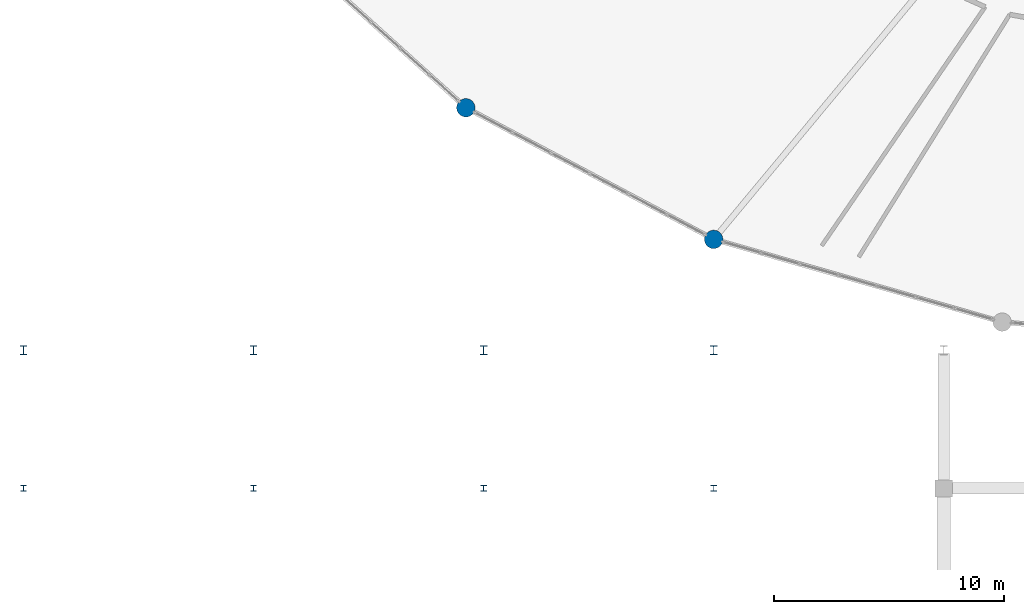
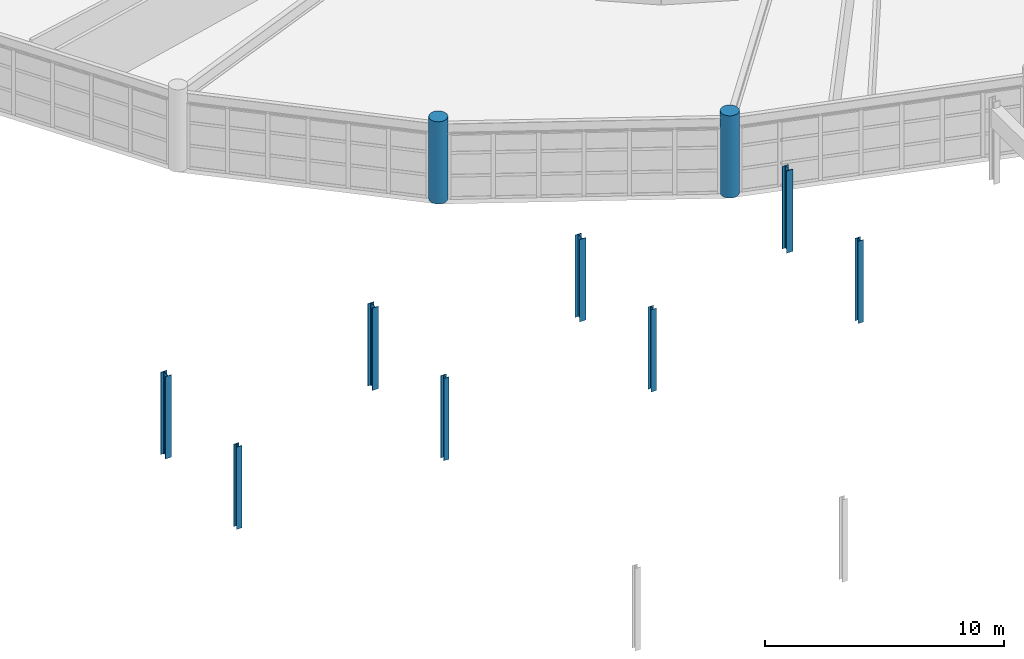
# One storey, part 4 of 100: 10 columns.
"""IFC4 building model written with IfcOpenShell, lengths in metres."""

from ifc_helpers import new_model, si_unit, direction, frame, origin, origin_2d, place, context, subcontext, project, spatial, circle, i_section, extrude, material, material_profile, profile_set, type_object, element, save


model = new_model("IFC4")

# Units and contexts
model_context = context("Model", 3, precision=1e-05, world=origin(), true_north=direction((0.0, 1.0)))
body_context = subcontext(model_context, "Body", "Model", "MODEL_VIEW")
ifc_project = project(units=[si_unit("LENGTHUNIT", "METRE"), si_unit("AREAUNIT", "SQUARE_METRE"), si_unit("VOLUMEUNIT", "CUBIC_METRE"), si_unit("PLANEANGLEUNIT", "RADIAN"), si_unit("MASSUNIT", "GRAM", prefix="KILO")], contexts=[model_context])

# Site, building, storey
site_placement = place(None, origin())
site = spatial("IfcSite", under=ifc_project, at=site_placement, CompositionType="ELEMENT")
building_placement = place(site_placement, origin())
building = spatial("IfcBuilding", under=site, at=building_placement, Name="Kivolera Central Railway Station", CompositionType="ELEMENT")
storey_placement = place(building_placement, frame((0.0, 0.0, 5.39990234375)))
storey = spatial("IfcBuildingStorey", under=building, at=storey_placement, Name="L01", CompositionType="ELEMENT", Elevation=5.39990234375)

# Columns
ifc_material_1 = material(Name="Concrete C40/50", Category="concrete")
ifc_material_profile_1 = material_profile(ifc_material_1, circle(Radius=0.39990234375, at=origin_2d()), Name="RC D800")
ifc_profile_set_1 = profile_set([ifc_material_profile_1], Name="Concrete C40/50")
column_type_1 = type_object("IfcColumnType", Name="COL-RC-D800", PredefinedType="COLUMN", material=ifc_profile_set_1)
for number, where, z_axis, x_axis, name in (
    (1, (27.22998046875, 64.5439453125, 0.0), (0.0, 0.0, 1.0), (1.0, 0.0, 0.0), "L01 Oval Drum Perimeter Column P16"),
    (2, (38.0, 58.822998046875, 0.0), (0.0, 0.0, 1.0), (1.0, 0.0, 0.0), "L01 Oval Drum Perimeter Column P17"),
):
    element("IfcColumn", number, at=place(storey_placement, frame(where, z_axis=z_axis, x_axis=x_axis)), inside=storey, type_object=column_type_1, Name=name, PredefinedType="COLUMN", context=body_context, shape_type="SweptSolid", body=[
        extrude(circle(Radius=0.39990234375, at=origin_2d()), origin(), (0.0, 0.0, 1.0), 4.2001953125),
    ])
ifc_material_2 = material(Name="Steel S355", Category="steel")
ifc_material_profile_2 = material_profile(ifc_material_2, i_section(OverallWidth=0.300048828125, OverallDepth=0.39990234375, WebThickness=0.013427734375, FlangeThickness=0.02392578125, FilletRadius=0.027099609375, at=origin_2d()), Name="HEB 400")
ifc_profile_set_2 = profile_set([ifc_material_profile_2], Name="Steel S355")
column_type_2 = type_object("IfcColumnType", Name="COL-STL-HEB400", PredefinedType="COLUMN", material=ifc_profile_set_2)
for number, where, z_axis, x_axis, name in (
    (3, (8.0, 54.0, 0.0), (0.0, 0.0, 1.0), (1.0, 0.0, 0.0), "L01 Train Shed Threshold Column 1-E"),
    (4, (18.0, 54.0, 0.0), (0.0, 0.0, 1.0), (1.0, 0.0, 0.0), "L01 Train Shed Threshold Column 2-E"),
    (5, (28.0, 54.0, 0.0), (0.0, 0.0, 1.0), (1.0, 0.0, 0.0), "L01 Train Shed Threshold Column 3-E"),
    (6, (38.0, 54.0, 0.0), (0.0, 0.0, 1.0), (1.0, 0.0, 0.0), "L01 Train Shed Threshold Column 4-E"),
):
    element("IfcColumn", number, at=place(storey_placement, frame(where, z_axis=z_axis, x_axis=x_axis)), inside=storey, type_object=column_type_2, Name=name, PredefinedType="COLUMN", context=body_context, shape_type="SweptSolid", body=[
        extrude(i_section(OverallWidth=0.300048828125, OverallDepth=0.39990234375, WebThickness=0.013427734375, FlangeThickness=0.02392578125, FilletRadius=0.027099609375, at=origin_2d()), origin(), (0.0, 0.0, 1.0), 4.2001953125),
    ])
ifc_material_profile_3 = material_profile(ifc_material_2, i_section(OverallWidth=0.25634765625, OverallDepth=0.26025390625, WebThickness=0.01025390625, FlangeThickness=0.017333984375, FilletRadius=0.0126953125, at=origin_2d()), Name="UC 254x254x89")
ifc_profile_set_3 = profile_set([ifc_material_profile_3], Name="Steel S355")
column_type_3 = type_object("IfcColumnType", Name="COL-STL-UC254", PredefinedType="COLUMN", material=ifc_profile_set_3)
for number, where, z_axis, x_axis, name in (
    (7, (8.0, 48.0, 0.0), (0.0, 0.0, 1.0), (1.0, 0.0, 0.0), "L01 Train Shed Column 1-D"),
    (8, (18.0, 48.0, 0.0), (0.0, 0.0, 1.0), (1.0, 0.0, 0.0), "L01 Train Shed Column 2-D"),
    (9, (28.0, 48.0, 0.0), (0.0, 0.0, 1.0), (1.0, 0.0, 0.0), "L01 Train Shed Column 3-D"),
    (10, (38.0, 48.0, 0.0), (0.0, 0.0, 1.0), (1.0, 0.0, 0.0), "L01 Train Shed Column 4-D"),
):
    element("IfcColumn", number, at=place(storey_placement, frame(where, z_axis=z_axis, x_axis=x_axis)), inside=storey, type_object=column_type_3, Name=name, PredefinedType="COLUMN", context=body_context, shape_type="SweptSolid", body=[
        extrude(i_section(OverallWidth=0.25634765625, OverallDepth=0.26025390625, WebThickness=0.01025390625, FlangeThickness=0.017333984375, FilletRadius=0.0126953125, at=origin_2d()), origin(), (0.0, 0.0, 1.0), 4.2001953125),
    ])

save(model, "model.ifc")
